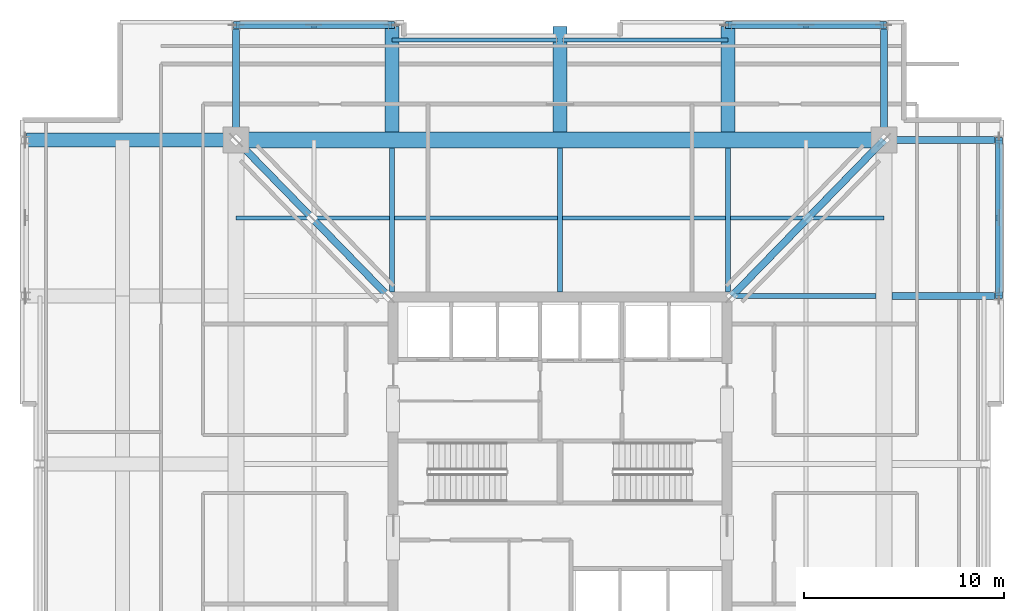
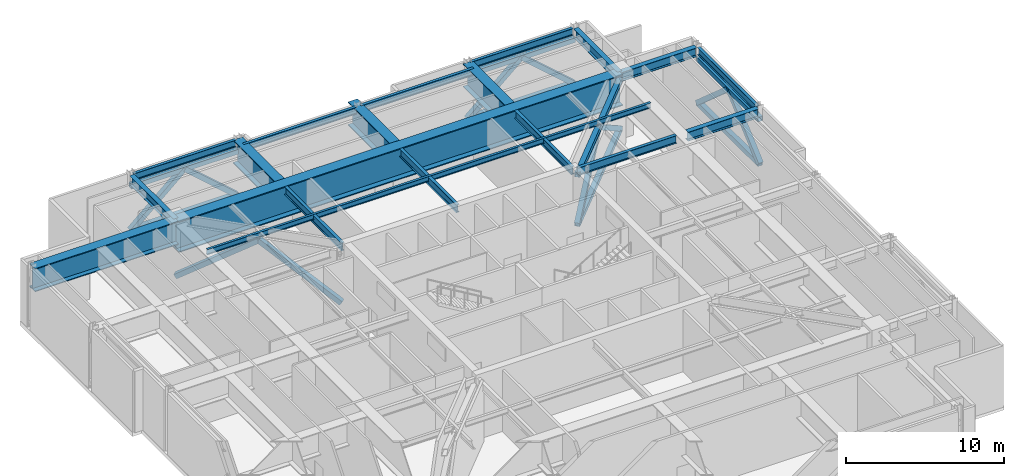
# One storey, part 2 of 13: 19 beams, 18 members.
"""IFC4 building model written with IfcOpenShell, lengths in metres."""

from ifc_helpers import new_model, si_unit, direction, frame, origin, origin_2d, place, context, subcontext, project, spatial, hollow_rectangle, i_section, extrude, material, material_profile, profile_set, type_object, element, save


model = new_model("IFC4")

# Units and contexts
model_context = context("Model", 3, precision=1e-05, world=origin(), true_north=direction((0.0, 1.0)))
body_context = subcontext(model_context, "Body", "Model", "MODEL_VIEW")
ifc_project = project(units=[si_unit("LENGTHUNIT", "METRE"), si_unit("AREAUNIT", "SQUARE_METRE"), si_unit("VOLUMEUNIT", "CUBIC_METRE"), si_unit("PLANEANGLEUNIT", "RADIAN"), si_unit("MASSUNIT", "GRAM", prefix="KILO")], contexts=[model_context])

# Site, building, storey
site_placement = place(None, origin())
site = spatial("IfcSite", under=ifc_project, at=site_placement, CompositionType="ELEMENT")
building_placement = place(site_placement, origin())
building = spatial("IfcBuilding", under=site, at=building_placement, Name="Drelvath Grand Hotel", CompositionType="ELEMENT")
storey_placement = place(building_placement, frame((0.0, 0.0, 200.10009765625)))
storey = spatial("IfcBuildingStorey", under=building, at=storey_placement, Name="L52", CompositionType="ELEMENT", Elevation=200.10009765625)

# Beams
ifc_material_1 = material(Name="Steel ASTM A572 Gr 50", Category="steel")
ifc_material_profile_1 = material_profile(ifc_material_1, i_section(OverallWidth=0.699951171875, OverallDepth=1.800048828125, WebThickness=0.035888671875, FlangeThickness=0.06494140625, at=origin_2d()), Name="PG1800X700")
ifc_profile_set_1 = profile_set([ifc_material_profile_1], Name="Steel ASTM A572 Gr 50")
beam_type_1 = type_object("IfcBeamType", Name="Built-Up Transfer Girder PG1800X700", PredefinedType="BEAM", material=ifc_profile_set_1)
beam_1_placement = place(storey_placement, frame((-26.679931640625, 43.199951171875, 3.83984375), z_axis=(1.0, 0.0, 0.0), x_axis=(0.0, 1.0, 0.0)))
element("IfcBeam", 1, at=beam_1_placement, inside=storey, type_object=beam_type_1, Name="L52 Setback Cross Transfer Girder G", PredefinedType="BEAM", context=body_context, shape_type="SweptSolid", body=[
    extrude(i_section(OverallWidth=0.699951171875, OverallDepth=1.800048828125, WebThickness=0.035888671875, FlangeThickness=0.06494140625, at=origin_2d()), origin(), (0.0, 0.0, 1.0), 10.47998046875),
])
for number, where, z_axis, x_axis, name in (
    (2, (-8.39990234375, 43.60009765625, 3.83984375), (0.0, 1.0, 0.0), (-1.0, 0.0, 0.0), "L52 Recess Transfer Girder N4"),
    (3, (0.0, 43.60009765625, 3.83984375), (0.0, 1.0, 0.0), (-1.0, 0.0, 0.0), "L52 Recess Transfer Girder N5"),
    (4, (8.39990234375, 43.60009765625, 3.83984375), (0.0, 1.0, 0.0), (-1.0, 0.0, 0.0), "L52 Recess Transfer Girder N6"),
):
    element("IfcBeam", number, at=place(storey_placement, frame(where, z_axis=z_axis, x_axis=x_axis)), inside=storey, type_object=beam_type_1, Name=name, PredefinedType="BEAM", context=body_context, shape_type="SweptSolid", body=[
        extrude(i_section(OverallWidth=0.699951171875, OverallDepth=1.800048828125, WebThickness=0.035888671875, FlangeThickness=0.06494140625, at=origin_2d()), origin(), (0.0, 0.0, 1.0), 5.27978515625),
    ])
ifc_material_profile_2 = material_profile(ifc_material_1, i_section(OverallWidth=0.800048828125, OverallDepth=2.39990234375, WebThickness=0.0400390625, FlangeThickness=0.074951171875, at=origin_2d()), Name="PG2400X800")
ifc_profile_set_2 = profile_set([ifc_material_profile_2], Name="Steel ASTM A572 Gr 50")
beam_type_2 = type_object("IfcBeamType", Name="Built-Up Transfer Girder PG2400X800", PredefinedType="BEAM", material=ifc_profile_set_2)
beam_2_placement = place(storey_placement, frame((-16.199951171875, 43.199951171875, 3.539794921875), z_axis=(1.0, 0.0, 0.0), x_axis=(0.0, 1.0, 0.0)))
element("IfcBeam", 5, at=beam_2_placement, inside=storey, type_object=beam_type_2, Name="L52 Mega Ring Girder North", PredefinedType="BEAM", context=body_context, shape_type="SweptSolid", body=[
    extrude(i_section(OverallWidth=0.800048828125, OverallDepth=2.39990234375, WebThickness=0.0400390625, FlangeThickness=0.074951171875, at=origin_2d()), origin(), (0.0, 0.0, 1.0), 32.39990234375),
])
ifc_material_2 = material(Name="Steel ASTM A992 Gr 50", Category="steel")
ifc_material_profile_3 = material_profile(ifc_material_2, i_section(OverallWidth=0.177734375, OverallDepth=0.40673828125, WebThickness=0.0078125, FlangeThickness=0.0126953125, FilletRadius=0.014892578125, at=origin_2d()), Name="W16X40")
ifc_profile_set_3 = profile_set([ifc_material_profile_3], Name="Steel ASTM A992 Gr 50")
beam_type_3 = type_object("IfcBeamType", Name="Composite Floor Joist W16X40", PredefinedType="JOIST", material=ifc_profile_set_3)
beam_3_placement = place(storey_placement, frame((-16.199951171875, 39.300048828125, 4.53662109375), z_axis=(1.0, 0.0, 0.0), x_axis=(0.0, 1.0, 0.0)))
element("IfcBeam", 6, at=beam_3_placement, inside=storey, type_object=beam_type_3, Name="L52 Floor Joist J2", PredefinedType="JOIST", context=body_context, shape_type="SweptSolid", body=[
    extrude(i_section(OverallWidth=0.177734375, OverallDepth=0.40673828125, WebThickness=0.0078125, FlangeThickness=0.0126953125, FilletRadius=0.014892578125, at=origin_2d()), origin(), (0.0, 0.0, 1.0), 32.39990234375),
])

# Members
ifc_material_3 = material(Name="Steel ASTM A500 Gr C", Category="steel")
ifc_material_profile_4 = material_profile(ifc_material_3, hollow_rectangle(XDim=0.355712890625, YDim=0.355712890625, WallThickness=0.015869140625, at=origin_2d()), Name="HSS356X356X16")
ifc_profile_set_4 = profile_set([ifc_material_profile_4], Name="Steel ASTM A500 Gr C")
member_type_1 = type_object("IfcMemberType", Name="Outrigger and Belt Truss Brace HSS356X356X16", PredefinedType="BRACE", material=ifc_profile_set_4)
for number, where, z_axis, x_axis, name in (
    (7, (-8.60009765625, 35.39990234375, 0.349853515625), (-0.572256955688, 0.587368598504, 0.572293723675), (-0.716260617515, -0.697832879562, 0.0), "L52 Outrigger Truss Diagonal NW-1"),
    (8, (-12.39990234375, 39.300048828125, 4.14990234375), (-0.572294040882, 0.587332156059, -0.572294040882), (-0.716216371491, -0.697878291114, 0.0), "L52 Outrigger Truss Diagonal NW-2"),
    (9, (8.60009765625, 35.39990234375, 0.349853515625), (0.572256955688, 0.587368598504, 0.572293723675), (-0.716260617515, 0.697832879562, 0.0), "L52 Outrigger Truss Diagonal NE-1"),
    (10, (12.39990234375, 39.300048828125, 4.14990234375), (0.572294040882, 0.587332156059, -0.572294040882), (-0.716216371491, 0.697878291114, 0.0), "L52 Outrigger Truss Diagonal NE-2"),
):
    element("IfcMember", number, at=place(storey_placement, frame(where, z_axis=z_axis, x_axis=x_axis)), inside=storey, type_object=member_type_1, Name=name, PredefinedType="BRACE", context=body_context, shape_type="SweptSolid", body=[
        extrude(hollow_rectangle(XDim=0.355712890625, YDim=0.355712890625, WallThickness=0.015869140625, at=origin_2d()), origin(), (0.0, 0.0, 1.0), 6.64013671875),
    ])
member_1_placement = place(storey_placement, frame((21.949951171875, 35.39990234375, 0.349853515625), z_axis=(0.0, 0.750923290114, 0.660389439925), x_axis=(-1.0, 0.0, 0.0)))
element("IfcMember", 11, at=member_1_placement, inside=storey, type_object=member_type_1, Name="L52 Belt Truss Diagonal BE-N-1", PredefinedType="BRACE", context=body_context, shape_type="SweptSolid", body=[
    extrude(hollow_rectangle(XDim=0.355712890625, YDim=0.355712890625, WallThickness=0.015869140625, at=origin_2d()), origin(), (0.0, 0.0, 1.0), 5.19384765625),
])
for number, where, z_axis, x_axis, name in (
    (12, (21.949951171875, 39.300048828125, 3.77978515625), (0.0, 0.750902788977, -0.660412750866), (-1.0, 0.0, 0.0), "L52 Belt Truss Diagonal BE-N-2"),
    (13, (-16.199951171875, 48.949951171875, 0.349853515625), (0.750902788977, 0.0, 0.660412750866), (0.0, 1.0, 0.0), "L52 Belt Truss Diagonal BN-W-1"),
):
    element("IfcMember", number, at=place(storey_placement, frame(where, z_axis=z_axis, x_axis=x_axis)), inside=storey, type_object=member_type_1, Name=name, PredefinedType="BRACE", context=body_context, shape_type="SweptSolid", body=[
        extrude(hollow_rectangle(XDim=0.355712890625, YDim=0.355712890625, WallThickness=0.015869140625, at=origin_2d()), origin(), (0.0, 0.0, 1.0), 5.193603515625),
    ])
for number, where, z_axis, x_axis, name in (
    (14, (-12.300048828125, 48.949951171875, 3.77978515625), (0.750923290114, 0.0, -0.660389439925), (0.0, 1.0, 0.0), "L52 Belt Truss Diagonal BN-W-2"),
    (15, (8.39990234375, 48.949951171875, 0.349853515625), (0.750923290114, 0.0, 0.660389439925), (0.0, 1.0, 0.0), "L52 Belt Truss Diagonal BN-E-1"),
):
    element("IfcMember", number, at=place(storey_placement, frame(where, z_axis=z_axis, x_axis=x_axis)), inside=storey, type_object=member_type_1, Name=name, PredefinedType="BRACE", context=body_context, shape_type="SweptSolid", body=[
        extrude(hollow_rectangle(XDim=0.355712890625, YDim=0.355712890625, WallThickness=0.015869140625, at=origin_2d()), origin(), (0.0, 0.0, 1.0), 5.19384765625),
    ])
member_2_placement = place(storey_placement, frame((12.300048828125, 48.949951171875, 3.77978515625), z_axis=(0.750902788977, 0.0, -0.660412750866), x_axis=(0.0, 1.0, 0.0)))
element("IfcMember", 16, at=member_2_placement, inside=storey, type_object=member_type_1, Name="L52 Belt Truss Diagonal BN-E-2", PredefinedType="BRACE", context=body_context, shape_type="SweptSolid", body=[
    extrude(hollow_rectangle(XDim=0.355712890625, YDim=0.355712890625, WallThickness=0.015869140625, at=origin_2d()), origin(), (0.0, 0.0, 1.0), 5.193603515625),
])
ifc_material_profile_5 = material_profile(ifc_material_3, hollow_rectangle(XDim=0.355712890625, YDim=0.355712890625, WallThickness=0.015869140625, at=origin_2d()), Name="HSS356X356X16")
ifc_profile_set_5 = profile_set([ifc_material_profile_5], Name="Steel ASTM A500 Gr C")
member_type_2 = type_object("IfcMemberType", Name="Outrigger and Belt Truss Chord HSS356X356X16", PredefinedType="CHORD", material=ifc_profile_set_5)
for number, where, z_axis, x_axis, name in (
    (17, (8.60009765625, 35.39990234375, 0.349853515625), (0.697855585679, 0.716238494872, 0.0), (-0.716238494872, 0.697855585679, 0.0), "L52 Outrigger Truss Bottom Chord NE"),
    (18, (8.60009765625, 35.39990234375, 4.14990234375), (0.697855585679, 0.716238494872, 0.0), (-0.716238494872, 0.697855585679, 0.0), "L52 Outrigger Truss Top Chord NE"),
):
    element("IfcMember", number, at=place(storey_placement, frame(where, z_axis=z_axis, x_axis=x_axis)), inside=storey, type_object=member_type_2, Name=name, PredefinedType="CHORD", context=body_context, shape_type="SweptSolid", body=[
        extrude(hollow_rectangle(XDim=0.355712890625, YDim=0.355712890625, WallThickness=0.015869140625, at=origin_2d()), origin(), (0.0, 0.0, 1.0), 10.890380859375),
    ])
for number, where, z_axis, x_axis, name in (
    (19, (21.949951171875, 35.39990234375, 0.349853515625), (0.0, 1.0, 0.0), (-1.0, 0.0, 0.0), "L52 Belt Truss Bottom Chord BE-N"),
    (20, (21.949951171875, 35.39990234375, 3.77978515625), (0.0, 1.0, 0.0), (-1.0, 0.0, 0.0), "L52 Belt Truss Top Chord BE-N"),
    (21, (-16.199951171875, 48.949951171875, 0.349853515625), (1.0, 0.0, 0.0), (0.0, 1.0, 0.0), "L52 Belt Truss Bottom Chord BN-W"),
    (22, (-16.199951171875, 48.949951171875, 3.77978515625), (1.0, 0.0, 0.0), (0.0, 1.0, 0.0), "L52 Belt Truss Top Chord BN-W"),
    (23, (8.39990234375, 48.949951171875, 0.349853515625), (1.0, 0.0, 0.0), (0.0, 1.0, 0.0), "L52 Belt Truss Bottom Chord BN-E"),
    (24, (8.39990234375, 48.949951171875, 3.77978515625), (1.0, 0.0, 0.0), (0.0, 1.0, 0.0), "L52 Belt Truss Top Chord BN-E"),
):
    element("IfcMember", number, at=place(storey_placement, frame(where, z_axis=z_axis, x_axis=x_axis)), inside=storey, type_object=member_type_2, Name=name, PredefinedType="CHORD", context=body_context, shape_type="SweptSolid", body=[
        extrude(hollow_rectangle(XDim=0.355712890625, YDim=0.355712890625, WallThickness=0.015869140625, at=origin_2d()), origin(), (0.0, 0.0, 1.0), 7.800048828125),
    ])

# Beams
ifc_material_profile_6 = material_profile(ifc_material_2, i_section(OverallWidth=0.210205078125, OverallDepth=0.53662109375, WebThickness=0.010986328125, FlangeThickness=0.017333984375, FilletRadius=0.01806640625, at=origin_2d()), Name="W21X68")
ifc_profile_set_6 = profile_set([ifc_material_profile_6], Name="Steel ASTM A992 Gr 50")
beam_type_4 = type_object("IfcBeamType", Name="Perimeter Spandrel Beam W21X68", PredefinedType="SPANDREL", material=ifc_profile_set_6)
for number, where, z_axis, x_axis, name in (
    (25, (21.8798828125, 35.5400390625, 4.4716796875), (0.0, 1.0, 0.0), (-1.0, 0.0, 0.0), "L52 Spandrel East N"),
    (26, (-16.06005859375, 48.8798828125, 4.4716796875), (1.0, 0.0, 0.0), (0.0, 1.0, 0.0), "L52 Spandrel North W"),
):
    element("IfcBeam", number, at=place(storey_placement, frame(where, z_axis=z_axis, x_axis=x_axis)), inside=storey, type_object=beam_type_4, Name=name, PredefinedType="SPANDREL", context=body_context, shape_type="SweptSolid", body=[
        extrude(i_section(OverallWidth=0.210205078125, OverallDepth=0.53662109375, WebThickness=0.010986328125, FlangeThickness=0.017333984375, FilletRadius=0.01806640625, at=origin_2d()), origin(), (0.0, 0.0, 1.0), 7.52001953125),
    ])
for number, where, z_axis, x_axis, name in (
    (27, (-8.39990234375, 48.199951171875, 4.4716796875), (1.0, 0.0, 0.0), (0.0, 1.0, 0.0), "L52 Spandrel North Mid W"),
    (28, (0.139892578125, 48.199951171875, 4.4716796875), (1.0, 0.0, 0.0), (0.0, 1.0, 0.0), "L52 Spandrel North Mid E"),
):
    element("IfcBeam", number, at=place(storey_placement, frame(where, z_axis=z_axis, x_axis=x_axis)), inside=storey, type_object=beam_type_4, Name=name, PredefinedType="SPANDREL", context=body_context, shape_type="SweptSolid", body=[
        extrude(i_section(OverallWidth=0.210205078125, OverallDepth=0.53662109375, WebThickness=0.010986328125, FlangeThickness=0.017333984375, FilletRadius=0.01806640625, at=origin_2d()), origin(), (0.0, 0.0, 1.0), 8.260009765625),
    ])
beam_4_placement = place(storey_placement, frame((8.5400390625, 48.8798828125, 4.4716796875), z_axis=(1.0, 0.0, 0.0), x_axis=(0.0, 1.0, 0.0)))
element("IfcBeam", 29, at=beam_4_placement, inside=storey, type_object=beam_type_4, Name="L52 Spandrel North E", PredefinedType="SPANDREL", context=body_context, shape_type="SweptSolid", body=[
    extrude(i_section(OverallWidth=0.210205078125, OverallDepth=0.53662109375, WebThickness=0.010986328125, FlangeThickness=0.017333984375, FilletRadius=0.01806640625, at=origin_2d()), origin(), (0.0, 0.0, 1.0), 7.52001953125),
])
ifc_material_profile_7 = material_profile(ifc_material_2, i_section(OverallWidth=0.228271484375, OverallDepth=0.607666015625, WebThickness=0.01123046875, FlangeThickness=0.017333984375, FilletRadius=0.02001953125, at=origin_2d()), Name="W24X76")
ifc_profile_set_7 = profile_set([ifc_material_profile_7], Name="Steel ASTM A992 Gr 50")
beam_type_5 = type_object("IfcBeamType", Name="Primary Floor Girder W24X76", PredefinedType="BEAM", material=ifc_profile_set_7)
for number, where, z_axis, x_axis, name in (
    (30, (8.60009765625, 35.39990234375, 4.43603515625), (1.0, 0.0, 0.0), (0.0, 1.0, 0.0), "L52 East Core Tie F"),
    (31, (-8.39990234375, 35.60009765625, 4.43603515625), (0.0, 1.0, 0.0), (-1.0, 0.0, 0.0), "L52 North Core Tie 4"),
    (32, (0.0, 35.60009765625, 4.43603515625), (0.0, 1.0, 0.0), (-1.0, 0.0, 0.0), "L52 North Core Tie 5"),
    (33, (8.39990234375, 35.60009765625, 4.43603515625), (0.0, 1.0, 0.0), (-1.0, 0.0, 0.0), "L52 North Core Tie 6"),
):
    element("IfcBeam", number, at=place(storey_placement, frame(where, z_axis=z_axis, x_axis=x_axis)), inside=storey, type_object=beam_type_5, Name=name, PredefinedType="BEAM", context=body_context, shape_type="SweptSolid", body=[
        extrude(i_section(OverallWidth=0.228271484375, OverallDepth=0.607666015625, WebThickness=0.01123046875, FlangeThickness=0.017333984375, FilletRadius=0.02001953125, at=origin_2d()), origin(), (0.0, 0.0, 1.0), 7.199951171875),
    ])
ifc_material_profile_8 = material_profile(ifc_material_2, i_section(OverallWidth=0.354736328125, OverallDepth=0.695556640625, WebThickness=0.015380859375, FlangeThickness=0.025146484375, FilletRadius=0.02392578125, at=origin_2d()), Name="W27X146")
ifc_profile_set_8 = profile_set([ifc_material_profile_8], Name="Steel ASTM A992 Gr 50")
beam_type_6 = type_object("IfcBeamType", Name="Primary Floor Girder W27X146", PredefinedType="BEAM", material=ifc_profile_set_8)
beam_5_placement = place(storey_placement, frame((16.199951171875, 43.199951171875, 4.39208984375), z_axis=(1.0, 0.0, 0.0), x_axis=(0.0, 1.0, 0.0)))
element("IfcBeam", 34, at=beam_5_placement, inside=storey, type_object=beam_type_6, Name="L52 East Grid Girder G", PredefinedType="BEAM", context=body_context, shape_type="SweptSolid", body=[
    extrude(i_section(OverallWidth=0.354736328125, OverallDepth=0.695556640625, WebThickness=0.015380859375, FlangeThickness=0.025146484375, FilletRadius=0.02392578125, at=origin_2d()), origin(), (0.0, 0.0, 1.0), 5.5400390625),
])
beam_6_placement = place(storey_placement, frame((16.60009765625, 35.39990234375, 4.39208984375), z_axis=(1.0, 0.0, 0.0), x_axis=(0.0, 1.0, 0.0)))
element("IfcBeam", 35, at=beam_6_placement, inside=storey, type_object=beam_type_6, Name="L52 East Wing Girder F", PredefinedType="BEAM", context=body_context, shape_type="SweptSolid", body=[
    extrude(i_section(OverallWidth=0.354736328125, OverallDepth=0.695556640625, WebThickness=0.015380859375, FlangeThickness=0.025146484375, FilletRadius=0.02392578125, at=origin_2d()), origin(), (0.0, 0.0, 1.0), 5.139892578125),
])
for number, where, z_axis, x_axis, name in (
    (36, (-16.199951171875, 43.199951171875, 4.39208984375), (0.0, 1.0, 0.0), (-1.0, 0.0, 0.0), "L52 North Grid Girder 3"),
    (37, (16.199951171875, 43.199951171875, 4.39208984375), (0.0, 1.0, 0.0), (-1.0, 0.0, 0.0), "L52 North Grid Girder 7"),
):
    element("IfcBeam", number, at=place(storey_placement, frame(where, z_axis=z_axis, x_axis=x_axis)), inside=storey, type_object=beam_type_6, Name=name, PredefinedType="BEAM", context=body_context, shape_type="SweptSolid", body=[
        extrude(i_section(OverallWidth=0.354736328125, OverallDepth=0.695556640625, WebThickness=0.015380859375, FlangeThickness=0.025146484375, FilletRadius=0.02392578125, at=origin_2d()), origin(), (0.0, 0.0, 1.0), 5.5400390625),
    ])

save(model, "model.ifc")
